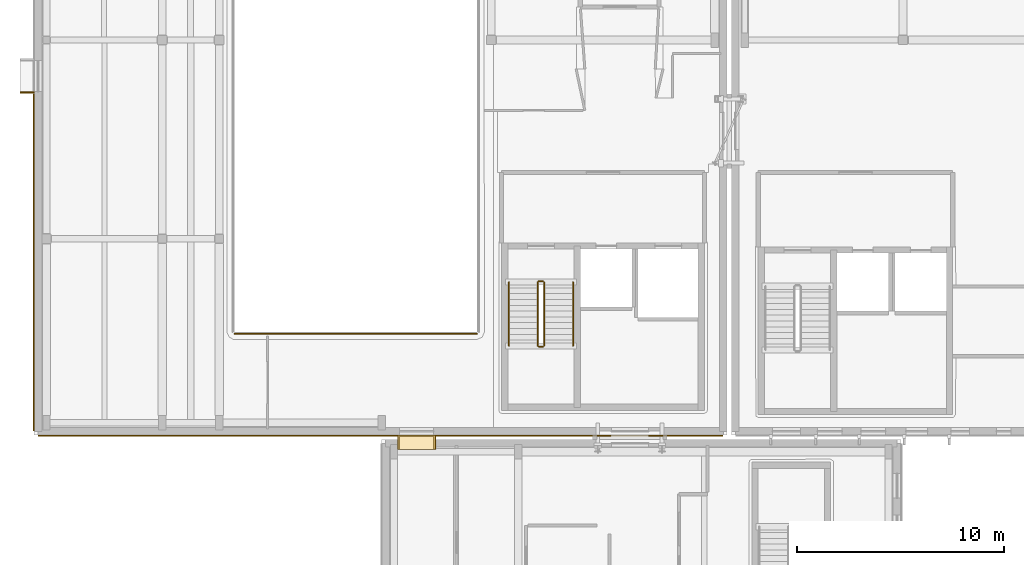
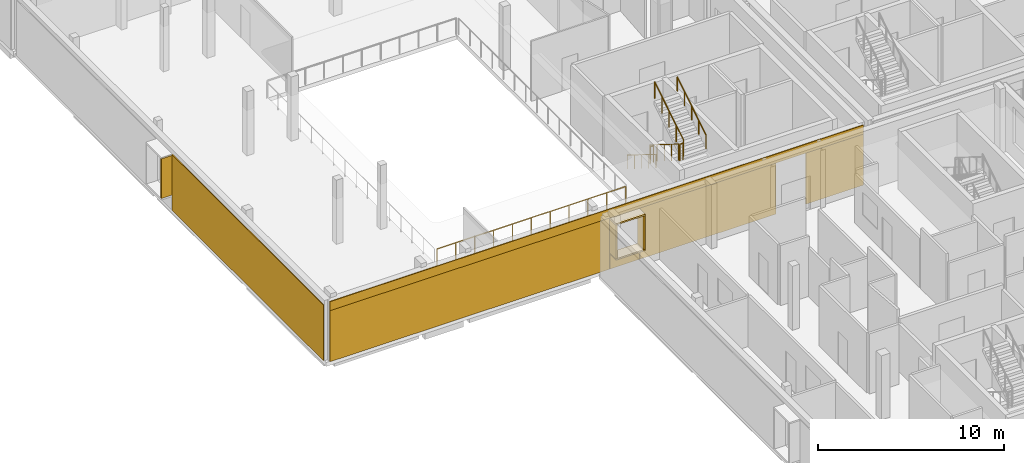
# One storey, part 64 of 84: 11 coverings, 7 railings.
"""IFC4 building model written with IfcOpenShell, lengths in metres."""

from ifc_helpers import new_model, si_unit, direction, frame, origin, origin_2d, place, context, subcontext, project, spatial, rectangle, circle, extrude, material, layer, layer_set, type_object, element, save


model = new_model("IFC4")

# Units and contexts
model_context = context("Model", 3, precision=1e-05, world=origin(), true_north=direction((0.0, 1.0)))
body_context = subcontext(model_context, "Body", "Model", "MODEL_VIEW")
ifc_project = project(units=[si_unit("LENGTHUNIT", "METRE"), si_unit("AREAUNIT", "SQUARE_METRE"), si_unit("VOLUMEUNIT", "CUBIC_METRE"), si_unit("PLANEANGLEUNIT", "RADIAN"), si_unit("MASSUNIT", "GRAM", prefix="KILO")], contexts=[model_context])

# Site, building, storey
site_placement = place(None, origin())
site = spatial("IfcSite", under=ifc_project, at=site_placement, CompositionType="ELEMENT")
building_placement = place(site_placement, origin())
building = spatial("IfcBuilding", under=site, at=building_placement, Name="Mzevani Central Library", CompositionType="ELEMENT")
storey_placement = place(building_placement, frame((0.0, 0.0, 5.39990234375)))
storey = spatial("IfcBuildingStorey", under=building, at=storey_placement, Name="L01", CompositionType="ELEMENT", Elevation=5.39990234375)

# Railings
ifc_material_1 = material(Name="Brushed stainless steel rail", Category="steel")
railing_type_1 = type_object("IfcRailingType", Name="Interior Gallery and Stair Guard 1100", PredefinedType="BALUSTRADE", material=ifc_material_1)
railing_1_placement = place(storey_placement, frame((33.800048828125, 47.39990234375, 0.0)))
element("IfcRailing", 1, at=railing_1_placement, inside=storey, type_object=railing_type_1, Name="L01 V5 Double-Height Void Guard 15", PredefinedType="BALUSTRADE", context=body_context, shape_type="SweptSolid", body=[
    extrude(circle(Radius=0.02392578125, at=origin_2d()), frame((0.0, 0.0, 1.076171875), z_axis=(-1.0, 0.0, 0.0), x_axis=(0.0, -1.0, 0.0)), (0.0, 0.0, 1.0), 11.699951171875),
    extrude(circle(Radius=0.02099609375, at=origin_2d()), origin(), (0.0, 0.0, 1.0), 1.052001953125),
    extrude(circle(Radius=0.02099609375, at=origin_2d()), frame((-1.169921875, 0.0, 0.0)), (0.0, 0.0, 1.0), 1.052001953125),
    extrude(circle(Radius=0.02099609375, at=origin_2d()), frame((-2.340087890625, 0.0, 0.0)), (0.0, 0.0, 1.0), 1.052001953125),
    extrude(circle(Radius=0.02099609375, at=origin_2d()), frame((-3.510009765625, 0.0, 0.0)), (0.0, 0.0, 1.0), 1.052001953125),
    extrude(circle(Radius=0.02099609375, at=origin_2d()), frame((-4.679931640625, 0.0, 0.0)), (0.0, 0.0, 1.0), 1.052001953125),
    extrude(circle(Radius=0.02099609375, at=origin_2d()), frame((-5.85009765625, 0.0, 0.0)), (0.0, 0.0, 1.0), 1.052001953125),
    extrude(circle(Radius=0.02099609375, at=origin_2d()), frame((-7.02001953125, 0.0, 0.0)), (0.0, 0.0, 1.0), 1.052001953125),
    extrude(circle(Radius=0.02099609375, at=origin_2d()), frame((-8.18994140625, 0.0, 0.0)), (0.0, 0.0, 1.0), 1.052001953125),
    extrude(circle(Radius=0.02099609375, at=origin_2d()), frame((-9.35986328125, 0.0, 0.0)), (0.0, 0.0, 1.0), 1.052001953125),
    extrude(circle(Radius=0.02099609375, at=origin_2d()), frame((-10.530029296875, 0.0, 0.0)), (0.0, 0.0, 1.0), 1.052001953125),
    extrude(circle(Radius=0.02099609375, at=origin_2d()), frame((-11.699951171875, 0.0, 0.0)), (0.0, 0.0, 1.0), 1.052001953125),
])
railing_2_placement = place(storey_placement, frame((36.75, 49.89990234375, 0.175048828125)))
element("IfcRailing", 2, at=railing_2_placement, inside=storey, type_object=railing_type_1, Name="L01 ST-09 stair guard 1", PredefinedType="BALUSTRADE", context=body_context, shape_type="SweptSolid", body=[
    extrude(circle(Radius=0.02392578125, at=origin_2d()), frame((0.0, 0.0, 1.076171875), z_axis=(0.0, -0.847979421464, 0.530029150871), x_axis=(1.0, 0.0, 0.0)), (0.0, 0.0, 1.0), 3.632080078125),
    extrude(circle(Radius=0.02099609375, at=origin_2d()), origin(), (0.0, 0.0, 1.0), 1.052001953125),
    extrude(circle(Radius=0.02099609375, at=origin_2d()), frame((0.0, -0.77001953125, 0.481201171875)), (0.0, 0.0, 1.0), 1.052001953125),
    extrude(circle(Radius=0.02099609375, at=origin_2d()), frame((0.0, -1.5400390625, 0.96240234375)), (0.0, 0.0, 1.0), 1.052001953125),
    extrude(circle(Radius=0.02099609375, at=origin_2d()), frame((0.0, -2.309814453125, 1.44384765625)), (0.0, 0.0, 1.0), 1.052001953125),
    extrude(circle(Radius=0.02099609375, at=origin_2d()), frame((0.0, -3.079833984375, 1.925048828125)), (0.0, 0.0, 1.0), 1.052001953125),
])
railing_3_placement = place(storey_placement, frame((36.800048828125, 46.77001953125, 2.10009765625)))
element("IfcRailing", 3, at=railing_3_placement, inside=storey, type_object=railing_type_1, Name="L01 ST-09 stair guard 2", PredefinedType="BALUSTRADE", context=body_context, shape_type="SweptSolid", body=[
    extrude(circle(Radius=0.02392578125, at=origin_2d()), frame((0.0, 0.0, 1.076171875), z_axis=(1.0, 0.0, 0.0), x_axis=(0.0, 1.0, 0.0)), (0.0, 0.0, 1.0), 0.199951171875),
    extrude(circle(Radius=0.02099609375, at=origin_2d()), origin(), (0.0, 0.0, 1.0), 1.052001953125),
    extrude(circle(Radius=0.02099609375, at=origin_2d()), frame((0.199951171875, 0.0, 0.0)), (0.0, 0.0, 1.0), 1.052001953125),
])
railing_4_placement = place(storey_placement, frame((37.050048828125, 46.820068359375, 2.275146484375)))
element("IfcRailing", 4, at=railing_4_placement, inside=storey, type_object=railing_type_1, Name="L01 ST-09 stair guard 3", PredefinedType="BALUSTRADE", context=body_context, shape_type="SweptSolid", body=[
    extrude(circle(Radius=0.02392578125, at=origin_2d()), frame((0.0, 0.0, 1.076171875), z_axis=(0.0, 0.847979421464, 0.530029150871), x_axis=(-1.0, 0.0, 0.0)), (0.0, 0.0, 1.0), 3.632080078125),
    extrude(circle(Radius=0.02099609375, at=origin_2d()), origin(), (0.0, 0.0, 1.0), 1.052001953125),
    extrude(circle(Radius=0.02099609375, at=origin_2d()), frame((0.0, 0.77001953125, 0.481201171875)), (0.0, 0.0, 1.0), 1.052001953125),
    extrude(circle(Radius=0.02099609375, at=origin_2d()), frame((0.0, 1.5400390625, 0.96240234375)), (0.0, 0.0, 1.0), 1.052001953125),
    extrude(circle(Radius=0.02099609375, at=origin_2d()), frame((0.0, 2.309814453125, 1.44384765625)), (0.0, 0.0, 1.0), 1.052001953125),
    extrude(circle(Radius=0.02099609375, at=origin_2d()), frame((0.0, 3.079833984375, 1.925048828125)), (0.0, 0.0, 1.0), 1.052001953125),
])
railing_5_placement = place(storey_placement, frame((36.800048828125, 49.949951171875, 0.0)))
element("IfcRailing", 5, at=railing_5_placement, inside=storey, type_object=railing_type_1, Name="L01 ST-09 stair guard 4", PredefinedType="BALUSTRADE", context=body_context, shape_type="SweptSolid", body=[
    extrude(circle(Radius=0.02392578125, at=origin_2d()), frame((0.0, 0.0, 1.076171875), z_axis=(1.0, 0.0, 0.0), x_axis=(0.0, 1.0, 0.0)), (0.0, 0.0, 1.0), 0.199951171875),
    extrude(circle(Radius=0.02099609375, at=origin_2d()), origin(), (0.0, 0.0, 1.0), 1.052001953125),
    extrude(circle(Radius=0.02099609375, at=origin_2d()), frame((0.199951171875, 0.0, 0.0)), (0.0, 0.0, 1.0), 1.052001953125),
])

# Coverings
ifc_material_2 = material(Name="Limestone ashlar cladding", Category="masonry")
ifc_layer = layer(ifc_material_2, 0.050048828125, Name="Limestone Ashlar Spandrel Cladding")
ifc_layer_set = layer_set([ifc_layer], Name="Limestone ashlar cladding")
covering_type = type_object("IfcCoveringType", Name="Limestone Ashlar Spandrel Cladding", PredefinedType="CLADDING", material=ifc_layer_set)
covering_1_placement = place(storey_placement, frame((12.06201171875, 59.0654296875, 0.9599609375), z_axis=(0.0, 0.0, 1.0), x_axis=(0.0, 1.0, 0.0)))
element("IfcCovering", 6, at=covering_1_placement, inside=storey, type_object=covering_type, Name="L01 Deep Window Reveal JL (REV4-0188)", PredefinedType="CLADDING", context=body_context, shape_type="SweptSolid", body=[
    extrude(rectangle(XDim=0.090087890625, YDim=0.679931640625, at=origin_2d()), origin(), (0.0, 0.0, 1.0), 2.60009765625),
])
covering_2_placement = place(storey_placement, frame((12.3759765625, 50.85009765625, 0.0), z_axis=(0.0, 0.0, 1.0), x_axis=(0.0, 1.0, 0.0)))
element("IfcCovering", 7, at=covering_2_placement, inside=storey, type_object=covering_type, Name="L01 Warm-White Facade Pier 1 (EW4-V5-L01-0092)", PredefinedType="CLADDING", context=body_context, shape_type="SweptSolid", body=[
    extrude(rectangle(XDim=16.280517578125, YDim=0.050048828125, at=origin_2d()), origin(), (0.0, 0.0, 1.0), 3.659912109375),
])
for number, where, z_axis, x_axis, name in (
    (8, (30.8876953125, 42.162109375, 3.25), (0.0, 0.0, 1.0), (-1.0, 0.0, 0.0), "L01 Deep Window Reveal HD (REV4-0189)"),
    (9, (30.8876953125, 42.162109375, 0.9599609375), (0.0, 0.0, 1.0), (-1.0, 0.0, 0.0), "L01 Deep Window Reveal SL (REV4-0189)"),
):
    element("IfcCovering", number, at=place(storey_placement, frame(where, z_axis=z_axis, x_axis=x_axis)), inside=storey, type_object=covering_type, Name=name, PredefinedType="CLADDING", context=body_context, shape_type="SweptSolid", body=[
        extrude(rectangle(XDim=1.830078125, YDim=0.679931640625, at=origin_2d()), origin(), (0.0, 0.0, 1.0), 0.090087890625),
    ])
for number, where, z_axis, x_axis, name in (
    (10, (31.757568359375, 42.162109375, 1.05029296875), (0.0, 0.0, 1.0), (-1.0, 0.0, 0.0), "L01 Deep Window Reveal JL (REV4-0189)"),
    (11, (30.017578125, 42.162109375, 1.05029296875), (0.0, 0.0, 1.0), (-1.0, 0.0, 0.0), "L01 Deep Window Reveal JR (REV4-0189)"),
):
    element("IfcCovering", number, at=place(storey_placement, frame(where, z_axis=z_axis, x_axis=x_axis)), inside=storey, type_object=covering_type, Name=name, PredefinedType="CLADDING", context=body_context, shape_type="SweptSolid", body=[
        extrude(rectangle(XDim=0.090087890625, YDim=0.679931640625, at=origin_2d()), origin(), (0.0, 0.0, 1.0), 2.199951171875),
    ])
covering_3_placement = place(storey_placement, frame((29.14990234375, 42.47607421875, 3.35009765625), z_axis=(0.0, 0.0, 1.0), x_axis=(-1.0, 0.0, 0.0)))
element("IfcCovering", 12, at=covering_3_placement, inside=storey, type_object=covering_type, Name="L01 Warm-White Facade Spandrel (EW4-V5-L01-0095)", PredefinedType="CLADDING", context=body_context, shape_type="SweptSolid", body=[
    extrude(rectangle(XDim=33.080078125, YDim=0.050048828125, at=origin_2d()), origin(), (0.0, 0.0, 1.0), 0.590087890625),
])
covering_4_placement = place(storey_placement, frame((43.905029296875, 42.47607421875, 0.0), z_axis=(0.0, 0.0, 1.0), x_axis=(-1.0, 0.0, 0.0)))
element("IfcCovering", 13, at=covering_4_placement, inside=storey, type_object=covering_type, Name="L01 Warm-White Facade Pier 1 (EW4-V5-L01-0095)", PredefinedType="CLADDING", context=body_context, shape_type="SweptSolid", body=[
    extrude(rectangle(XDim=3.570068359375, YDim=0.050048828125, at=origin_2d()), origin(), (0.0, 0.0, 1.0), 3.35009765625),
])
covering_5_placement = place(storey_placement, frame((36.056396484375, 42.47607421875, 0.0), z_axis=(0.0, 0.0, 1.0), x_axis=(-1.0, 0.0, 0.0)))
element("IfcCovering", 14, at=covering_5_placement, inside=storey, type_object=covering_type, Name="L01 Warm-White Facade Pier 2 (EW4-V5-L01-0095)", PredefinedType="CLADDING", context=body_context, shape_type="SweptSolid", body=[
    extrude(rectangle(XDim=8.447509765625, YDim=0.050048828125, at=origin_2d()), origin(), (0.0, 0.0, 1.0), 3.35009765625),
])
covering_6_placement = place(storey_placement, frame((30.8876953125, 42.47607421875, 0.0), z_axis=(0.0, 0.0, 1.0), x_axis=(-1.0, 0.0, 0.0)))
element("IfcCovering", 15, at=covering_6_placement, inside=storey, type_object=covering_type, Name="L01 Warm-White Sill Cladding 3 (EW4-V5-L01-0095)", PredefinedType="CLADDING", context=body_context, shape_type="SweptSolid", body=[
    extrude(rectangle(XDim=1.85009765625, YDim=0.050048828125, at=origin_2d()), origin(), (0.0, 0.0, 1.0), 0.949951171875),
])
covering_7_placement = place(storey_placement, frame((21.2763671875, 42.47607421875, 0.0), z_axis=(0.0, 0.0, 1.0), x_axis=(-1.0, 0.0, 0.0)))
element("IfcCovering", 16, at=covering_7_placement, inside=storey, type_object=covering_type, Name="L01 Warm-White Facade Pier 4 (EW4-V5-L01-0095)", PredefinedType="CLADDING", context=body_context, shape_type="SweptSolid", body=[
    extrude(rectangle(XDim=17.33251953125, YDim=0.050048828125, at=origin_2d()), origin(), (0.0, 0.0, 1.0), 3.35009765625),
])

# Railings
railing_type_2 = type_object("IfcRailingType", Name="Stair Wall Handrail 920", PredefinedType="HANDRAIL", material=ifc_material_1)
railing_6_placement = place(storey_placement, frame((35.35009765625, 49.89990234375, 0.175048828125)))
element("IfcRailing", 17, at=railing_6_placement, inside=storey, type_object=railing_type_2, Name="L01 ST-09 stair handrail 1", PredefinedType="HANDRAIL", context=body_context, shape_type="SweptSolid", body=[
    extrude(circle(Radius=0.02392578125, at=origin_2d()), frame((0.0, 0.0, 0.89599609375), z_axis=(0.0, -0.847979421464, 0.530029150871), x_axis=(1.0, 0.0, 0.0)), (0.0, 0.0, 1.0), 3.632080078125),
    extrude(circle(Radius=0.02099609375, at=origin_2d()), origin(), (0.0, 0.0, 1.0), 0.871826171875),
    extrude(circle(Radius=0.02099609375, at=origin_2d()), frame((0.0, -0.77001953125, 0.481201171875)), (0.0, 0.0, 1.0), 0.871826171875),
    extrude(circle(Radius=0.02099609375, at=origin_2d()), frame((0.0, -1.5400390625, 0.96240234375)), (0.0, 0.0, 1.0), 0.871826171875),
    extrude(circle(Radius=0.02099609375, at=origin_2d()), frame((0.0, -2.309814453125, 1.44384765625)), (0.0, 0.0, 1.0), 0.871826171875),
    extrude(circle(Radius=0.02099609375, at=origin_2d()), frame((0.0, -3.079833984375, 1.925048828125)), (0.0, 0.0, 1.0), 0.871826171875),
])
railing_7_placement = place(storey_placement, frame((38.449951171875, 46.820068359375, 2.275146484375)))
element("IfcRailing", 18, at=railing_7_placement, inside=storey, type_object=railing_type_2, Name="L01 ST-09 stair handrail 2", PredefinedType="HANDRAIL", context=body_context, shape_type="SweptSolid", body=[
    extrude(circle(Radius=0.02392578125, at=origin_2d()), frame((0.0, 0.0, 0.89599609375), z_axis=(0.0, 0.847979421464, 0.530029150871), x_axis=(-1.0, 0.0, 0.0)), (0.0, 0.0, 1.0), 3.632080078125),
    extrude(circle(Radius=0.02099609375, at=origin_2d()), origin(), (0.0, 0.0, 1.0), 0.871826171875),
    extrude(circle(Radius=0.02099609375, at=origin_2d()), frame((0.0, 0.77001953125, 0.481201171875)), (0.0, 0.0, 1.0), 0.871826171875),
    extrude(circle(Radius=0.02099609375, at=origin_2d()), frame((0.0, 1.5400390625, 0.96240234375)), (0.0, 0.0, 1.0), 0.871826171875),
    extrude(circle(Radius=0.02099609375, at=origin_2d()), frame((0.0, 2.309814453125, 1.44384765625)), (0.0, 0.0, 1.0), 0.871826171875),
    extrude(circle(Radius=0.02099609375, at=origin_2d()), frame((0.0, 3.079833984375, 1.925048828125)), (0.0, 0.0, 1.0), 0.871826171875),
])

save(model, "model.ifc")
